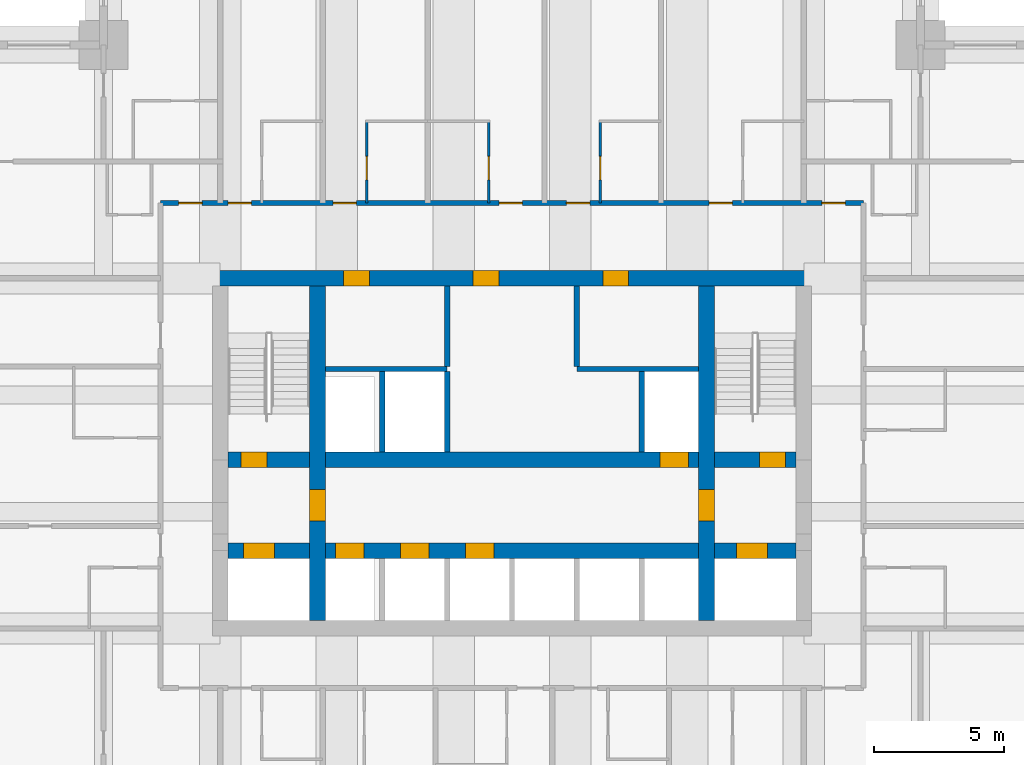
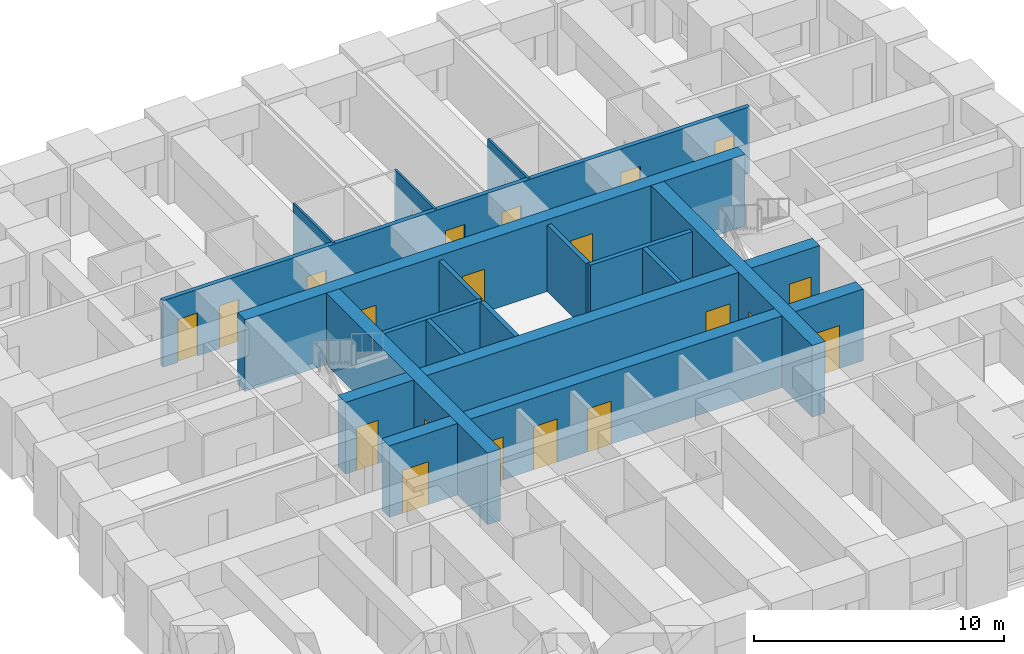
# One storey, part 4 of 8: 23 doors, 16 walls, 23 openings.
"""IFC4 building model written with IfcOpenShell, lengths in metres."""

from ifc_helpers import new_model, si_unit, direction, frame, frame_2d, origin, place, context, subcontext, project, spatial, rectangle, extrude, material, layer, layer_set, type_object, element, fill, save


model = new_model("IFC4")

# Units and contexts
model_context = context("Model", 3, precision=1e-05, world=origin(), true_north=direction((0.0, 1.0)))
body_context = subcontext(model_context, "Body", "Model", "MODEL_VIEW")
ifc_project = project(units=[si_unit("LENGTHUNIT", "METRE"), si_unit("AREAUNIT", "SQUARE_METRE"), si_unit("VOLUMEUNIT", "CUBIC_METRE"), si_unit("PLANEANGLEUNIT", "RADIAN"), si_unit("MASSUNIT", "GRAM", prefix="KILO")], contexts=[model_context])

# Site, building, storey
site_placement = place(None, origin())
site = spatial("IfcSite", under=ifc_project, at=site_placement, CompositionType="ELEMENT")
building_placement = place(site_placement, origin())
building = spatial("IfcBuilding", under=site, at=building_placement, Name="Kilele Tower Hotel", CompositionType="ELEMENT")
storey_placement = place(building_placement, frame((0.0, 0.0, 54.199951171875)))
storey = spatial("IfcBuildingStorey", under=building, at=storey_placement, Name="L12", CompositionType="ELEMENT", Elevation=54.199951171875)

# Wall, opening, door
ifc_material_1 = material(Name="Moisture-resistant board")
ifc_layer_1 = layer(ifc_material_1, 0.10009765625)
ifc_layer_set_1 = layer_set([ifc_layer_1], Name="Moisture-resistant board")
wall_type_1 = type_object("IfcWallType", Name="Bathroom partition 100", PredefinedType="PLUMBINGWALL", material=ifc_layer_set_1)
wall_1_placement = place(storey_placement, frame((19.14990234375, 29.89990234375, 0.0), z_axis=(0.0, 0.0, 1.0), x_axis=(0.0, 1.0, 0.0)))
wall_1 = element("IfcWall", 1, at=wall_1_placement, inside=storey, type_object=wall_type_1, Name="Bathroom partition 100 L12", PredefinedType="PLUMBINGWALL", context=body_context, shape_type="SweptSolid", body=[
    extrude(rectangle(XDim=3.2001953125, YDim=0.10009765625, at=frame_2d((1.60009765625, 0.0))), origin(), (0.0, 0.0, 1.0), 3.25),
])
opening_1_placement = place(wall_1_placement, frame((0.89990234375, 0.0, 0.0)))
opening_1 = element("IfcOpeningElement", 2, at=opening_1_placement, cuts=wall_1, Name="Opening D2A", PredefinedType="OPENING", context=body_context, shape_type="SweptSolid", body=[
    extrude(rectangle(XDim=0.89990234375, YDim=2.10009765625, at=frame_2d((0.449951171875, 1.050048828125))), frame((0.0, 0.06005859375, 0.0), z_axis=(0.0, -1.0, 0.0), x_axis=(1.0, 0.0, 0.0)), (0.0, 0.0, 1.0), 0.1201171875),
])
ifc_material_2 = material(Name="Timber door leaf in hardwood frame", Category="wood")
door_type_1 = type_object("IfcDoorType", Name="Bathroom door 900", OperationType="SINGLE_SWING_LEFT", PredefinedType="DOOR", material=ifc_material_2)
door_1_placement = place(opening_1_placement, origin())
door_1 = element("IfcDoor", 3, at=door_1_placement, inside=storey, type_object=door_type_1, Name="Bathroom door 1210B", OperationType="SINGLE_SWING_LEFT", OverallHeight=2.10009765625, OverallWidth=0.89990234375, PredefinedType="DOOR", context=body_context, shape_type="SweptSolid", body=[
    extrude(rectangle(XDim=0.89990234375, YDim=2.10009765625, at=frame_2d((0.449951171875, 1.050048828125))), frame((0.0, 0.02490234375, 0.0), z_axis=(0.0, -1.0, 0.0), x_axis=(1.0, 0.0, 0.0)), (0.0, 0.0, 1.0), 0.050048828125),
])
fill(opening_1, door_1)

wall_2_placement = place(storey_placement, frame((23.85009765625, 29.89990234375, 0.0), z_axis=(0.0, 0.0, 1.0), x_axis=(0.0, 1.0, 0.0)))
wall_2 = element("IfcWall", 4, at=wall_2_placement, inside=storey, type_object=wall_type_1, Name="Bathroom partition 100 L12", PredefinedType="PLUMBINGWALL", context=body_context, shape_type="SweptSolid", body=[
    extrude(rectangle(XDim=3.2001953125, YDim=0.10009765625, at=frame_2d((1.60009765625, 0.0))), origin(), (0.0, 0.0, 1.0), 3.25),
])
opening_2_placement = place(wall_2_placement, frame((1.7998046875, 0.0, 0.0), z_axis=(0.0, 0.0, 1.0), x_axis=(-1.0, 0.0, 0.0)))
opening_2 = element("IfcOpeningElement", 5, at=opening_2_placement, cuts=wall_2, Name="Opening D2A", PredefinedType="OPENING", context=body_context, shape_type="SweptSolid", body=[
    extrude(rectangle(XDim=0.89990234375, YDim=2.10009765625, at=frame_2d((0.449951171875, 1.050048828125))), frame((0.0, 0.06005859375, 0.0), z_axis=(0.0, -1.0, 0.0), x_axis=(1.0, 0.0, 0.0)), (0.0, 0.0, 1.0), 0.1201171875),
])
door_2_placement = place(opening_2_placement, origin())
door_2 = element("IfcDoor", 6, at=door_2_placement, inside=storey, type_object=door_type_1, Name="Bathroom door 1211B", OperationType="SINGLE_SWING_RIGHT", OverallHeight=2.10009765625, OverallWidth=0.89990234375, PredefinedType="DOOR", context=body_context, shape_type="SweptSolid", body=[
    extrude(rectangle(XDim=0.89990234375, YDim=2.10009765625, at=frame_2d((0.449951171875, 1.050048828125))), frame((0.0, 0.02490234375, 0.0), z_axis=(0.0, -1.0, 0.0), x_axis=(1.0, 0.0, 0.0)), (0.0, 0.0, 1.0), 0.050048828125),
])
fill(opening_2, door_2)

wall_3_placement = place(storey_placement, frame((28.14990234375, 29.89990234375, 0.0), z_axis=(0.0, 0.0, 1.0), x_axis=(0.0, 1.0, 0.0)))
wall_3 = element("IfcWall", 7, at=wall_3_placement, inside=storey, type_object=wall_type_1, Name="Bathroom partition 100 L12", PredefinedType="PLUMBINGWALL", context=body_context, shape_type="SweptSolid", body=[
    extrude(rectangle(XDim=3.2001953125, YDim=0.10009765625, at=frame_2d((1.60009765625, 0.0))), origin(), (0.0, 0.0, 1.0), 3.25),
])
opening_3_placement = place(wall_3_placement, frame((0.89990234375, 0.0, 0.0)))
opening_3 = element("IfcOpeningElement", 8, at=opening_3_placement, cuts=wall_3, Name="Opening D2A", PredefinedType="OPENING", context=body_context, shape_type="SweptSolid", body=[
    extrude(rectangle(XDim=0.89990234375, YDim=2.10009765625, at=frame_2d((0.449951171875, 1.050048828125))), frame((0.0, 0.06005859375, 0.0), z_axis=(0.0, -1.0, 0.0), x_axis=(1.0, 0.0, 0.0)), (0.0, 0.0, 1.0), 0.1201171875),
])
door_3_placement = place(opening_3_placement, origin())
door_3 = element("IfcDoor", 9, at=door_3_placement, inside=storey, type_object=door_type_1, Name="Bathroom door 1212B", OperationType="SINGLE_SWING_LEFT", OverallHeight=2.10009765625, OverallWidth=0.89990234375, PredefinedType="DOOR", context=body_context, shape_type="SweptSolid", body=[
    extrude(rectangle(XDim=0.89990234375, YDim=2.10009765625, at=frame_2d((0.449951171875, 1.050048828125))), frame((0.0, 0.02490234375, 0.0), z_axis=(0.0, -1.0, 0.0), x_axis=(1.0, 0.0, 0.0)), (0.0, 0.0, 1.0), 0.050048828125),
])
fill(opening_3, door_3)

# Wall, openings, doors
ifc_material_3 = material(Name="Concrete C60/75", Category="concrete")
ifc_layer_2 = layer(ifc_material_3, 0.60009765625)
ifc_layer_set_2 = layer_set([ifc_layer_2], Name="Concrete C60/75")
wall_type_2 = type_object("IfcWallType", Name="Core wall 600 C60/75", PredefinedType="SHEAR", material=ifc_layer_set_2)
wall_4_placement = place(storey_placement, frame((36.300048828125, 27.0, 0.0), z_axis=(0.0, 0.0, 1.0), x_axis=(-1.0, 0.0, 0.0)))
wall_4 = element("IfcWall", 10, at=wall_4_placement, inside=storey, type_object=wall_type_2, Name="Core wall N L12", PredefinedType="SHEAR", context=body_context, shape_type="SweptSolid", body=[
    extrude(rectangle(XDim=23.10009765625, YDim=0.60009765625, at=frame_2d((11.550048828125, 0.0))), origin(), (0.0, 0.0, 1.0), 3.5),
])
opening_4_placement = place(wall_4_placement, frame((17.050048828125, 0.0, 0.0)))
opening_4 = element("IfcOpeningElement", 11, at=opening_4_placement, cuts=wall_4, Name="Opening D6", PredefinedType="OPENING", context=body_context, shape_type="SweptSolid", body=[
    extrude(rectangle(XDim=1.0, YDim=2.10009765625, at=frame_2d((0.5, 1.050048828125))), frame((0.0, 0.31005859375, 0.0), z_axis=(0.0, -1.0, 0.0), x_axis=(1.0, 0.0, 0.0)), (0.0, 0.0, 1.0), 0.6201171875),
])
opening_5_placement = place(wall_4_placement, frame((12.050048828125, 0.0, 0.0)))
opening_5 = element("IfcOpeningElement", 12, at=opening_5_placement, cuts=wall_4, Name="Opening D6", PredefinedType="OPENING", context=body_context, shape_type="SweptSolid", body=[
    extrude(rectangle(XDim=1.0, YDim=2.10009765625, at=frame_2d((0.5, 1.050048828125))), frame((0.0, 0.31005859375, 0.0), z_axis=(0.0, -1.0, 0.0), x_axis=(1.0, 0.0, 0.0)), (0.0, 0.0, 1.0), 0.6201171875),
])
opening_6_placement = place(wall_4_placement, frame((7.050048828125, 0.0, 0.0)))
opening_6 = element("IfcOpeningElement", 13, at=opening_6_placement, cuts=wall_4, Name="Opening D6", PredefinedType="OPENING", context=body_context, shape_type="SweptSolid", body=[
    extrude(rectangle(XDim=1.0, YDim=2.10009765625, at=frame_2d((0.5, 1.050048828125))), frame((0.0, 0.31005859375, 0.0), z_axis=(0.0, -1.0, 0.0), x_axis=(1.0, 0.0, 0.0)), (0.0, 0.0, 1.0), 0.6201171875),
])
ifc_material_4 = material(Name="Timber door leaf in hardwood frame", Category="wood")
door_type_2 = type_object("IfcDoorType", Name="Riser door 1000", OperationType="SINGLE_SWING_LEFT", PredefinedType="DOOR", material=ifc_material_4)
door_4_placement = place(opening_4_placement, origin())
door_4 = element("IfcDoor", 14, at=door_4_placement, inside=storey, type_object=door_type_2, Name="Service riser door L12", OperationType="SINGLE_SWING_RIGHT", OverallHeight=2.10009765625, OverallWidth=1.0, PredefinedType="DOOR", context=body_context, shape_type="SweptSolid", body=[
    extrude(rectangle(XDim=1.0, YDim=2.10009765625, at=frame_2d((0.5, 1.050048828125))), frame((0.0, 0.2998046875, 0.0), z_axis=(0.0, -1.0, 0.0), x_axis=(1.0, 0.0, 0.0)), (0.0, 0.0, 1.0), 0.599609375),
])
fill(opening_4, door_4)
door_5_placement = place(opening_5_placement, origin())
door_5 = element("IfcDoor", 15, at=door_5_placement, inside=storey, type_object=door_type_2, Name="Housekeeping linen room door L12", OperationType="SINGLE_SWING_RIGHT", OverallHeight=2.10009765625, OverallWidth=1.0, PredefinedType="DOOR", context=body_context, shape_type="SweptSolid", body=[
    extrude(rectangle(XDim=1.0, YDim=2.10009765625, at=frame_2d((0.5, 1.050048828125))), frame((0.0, 0.2998046875, 0.0), z_axis=(0.0, -1.0, 0.0), x_axis=(1.0, 0.0, 0.0)), (0.0, 0.0, 1.0), 0.599609375),
])
fill(opening_5, door_5)
door_6_placement = place(opening_6_placement, origin())
door_6 = element("IfcDoor", 16, at=door_6_placement, inside=storey, type_object=door_type_2, Name="Electrical riser door L12", OperationType="SINGLE_SWING_RIGHT", OverallHeight=2.10009765625, OverallWidth=1.0, PredefinedType="DOOR", context=body_context, shape_type="SweptSolid", body=[
    extrude(rectangle(XDim=1.0, YDim=2.10009765625, at=frame_2d((0.5, 1.050048828125))), frame((0.0, 0.2998046875, 0.0), z_axis=(0.0, -1.0, 0.0), x_axis=(1.0, 0.0, 0.0)), (0.0, 0.0, 1.0), 0.599609375),
])
fill(opening_6, door_6)

# Wall, opening, door
wall_5_placement = place(storey_placement, frame((17.25, 13.800048828125, 0.0), z_axis=(0.0, 0.0, 1.0), x_axis=(0.0, 1.0, 0.0)))
wall_5 = element("IfcWall", 17, at=wall_5_placement, inside=storey, type_object=wall_type_2, Name="Core wall IW L12", PredefinedType="SHEAR", context=body_context, shape_type="SweptSolid", body=[
    extrude(rectangle(XDim=12.89990234375, YDim=0.60009765625, at=frame_2d((6.449951171875, 0.0))), origin(), (0.0, 0.0, 1.0), 3.5),
])
opening_7_placement = place(wall_5_placement, frame((3.85009765625, 0.0, 0.0)))
opening_7 = element("IfcOpeningElement", 18, at=opening_7_placement, cuts=wall_5, Name="Opening D4", PredefinedType="OPENING", context=body_context, shape_type="SweptSolid", body=[
    extrude(rectangle(XDim=1.199951171875, YDim=2.10009765625, at=frame_2d((0.60009765625, 1.050048828125))), frame((0.0, 0.31005859375, 0.0), z_axis=(0.0, -1.0, 0.0), x_axis=(1.0, 0.0, 0.0)), (0.0, 0.0, 1.0), 0.6201171875),
])
ifc_material_5 = material(Name="Timber door leaf in hardwood frame", Category="wood")
door_type_3 = type_object("IfcDoorType", Name="Firefighting lobby door 1200", OperationType="SINGLE_SWING_LEFT", PredefinedType="DOOR", material=ifc_material_5)
door_7_placement = place(opening_7_placement, origin())
door_7 = element("IfcDoor", 19, at=door_7_placement, inside=storey, type_object=door_type_3, Name="Lobby door L12", OperationType="SINGLE_SWING_LEFT", OverallHeight=2.10009765625, OverallWidth=1.199951171875, PredefinedType="DOOR", context=body_context, shape_type="SweptSolid", body=[
    extrude(rectangle(XDim=1.199951171875, YDim=2.10009765625, at=frame_2d((0.60009765625, 1.050048828125))), frame((0.0, 0.2998046875, 0.0), z_axis=(0.0, -1.0, 0.0), x_axis=(1.0, 0.0, 0.0)), (0.0, 0.0, 1.0), 0.599609375),
])
fill(opening_7, door_7)

wall_6_placement = place(storey_placement, frame((32.25, 13.800048828125, 0.0), z_axis=(0.0, 0.0, 1.0), x_axis=(0.0, 1.0, 0.0)))
wall_6 = element("IfcWall", 20, at=wall_6_placement, inside=storey, type_object=wall_type_2, Name="Core wall IE L12", PredefinedType="SHEAR", context=body_context, shape_type="SweptSolid", body=[
    extrude(rectangle(XDim=12.89990234375, YDim=0.60009765625, at=frame_2d((6.449951171875, 0.0))), origin(), (0.0, 0.0, 1.0), 3.5),
])
opening_8_placement = place(wall_6_placement, frame((5.050048828125, 0.0, 0.0), z_axis=(0.0, 0.0, 1.0), x_axis=(-1.0, 0.0, 0.0)))
opening_8 = element("IfcOpeningElement", 21, at=opening_8_placement, cuts=wall_6, Name="Opening D4", PredefinedType="OPENING", context=body_context, shape_type="SweptSolid", body=[
    extrude(rectangle(XDim=1.199951171875, YDim=2.10009765625, at=frame_2d((0.60009765625, 1.050048828125))), frame((0.0, 0.31005859375, 0.0), z_axis=(0.0, -1.0, 0.0), x_axis=(1.0, 0.0, 0.0)), (0.0, 0.0, 1.0), 0.6201171875),
])
door_8_placement = place(opening_8_placement, origin())
door_8 = element("IfcDoor", 22, at=door_8_placement, inside=storey, type_object=door_type_3, Name="Lobby door L12", OperationType="SINGLE_SWING_RIGHT", OverallHeight=2.10009765625, OverallWidth=1.199951171875, PredefinedType="DOOR", context=body_context, shape_type="SweptSolid", body=[
    extrude(rectangle(XDim=1.199951171875, YDim=2.10009765625, at=frame_2d((0.60009765625, 1.050048828125))), frame((0.0, 0.2998046875, 0.0), z_axis=(0.0, -1.0, 0.0), x_axis=(1.0, 0.0, 0.0)), (0.0, 0.0, 1.0), 0.599609375),
])
fill(opening_8, door_8)

# Wall, openings, doors
wall_7_placement = place(storey_placement, frame((13.800048828125, 16.5, 0.0), z_axis=(0.0, 0.0, 1.0), x_axis=(1.0, 0.0, 0.0)))
wall_7 = element("IfcWall", 23, at=wall_7_placement, inside=storey, type_object=wall_type_2, Name="Core wall LS L12", PredefinedType="SHEAR", context=body_context, shape_type="SweptSolid", body=[
    extrude(rectangle(XDim=21.89990234375, YDim=0.60009765625, at=frame_2d((10.949951171875, 0.0))), origin(), (0.0, 0.0, 1.0), 3.5),
])
opening_9_placement = place(wall_7_placement, frame((4.14990234375, 0.0, 0.0)))
opening_9 = element("IfcOpeningElement", 24, at=opening_9_placement, cuts=wall_7, Name="Opening LD1", PredefinedType="OPENING", context=body_context, shape_type="SweptSolid", body=[
    extrude(rectangle(XDim=1.10009765625, YDim=2.10009765625, at=frame_2d((0.550048828125, 1.050048828125))), frame((0.0, 0.31005859375, 0.0), z_axis=(0.0, -1.0, 0.0), x_axis=(1.0, 0.0, 0.0)), (0.0, 0.0, 1.0), 0.6201171875),
])
opening_10_placement = place(wall_7_placement, frame((6.64990234375, 0.0, 0.0)))
opening_10 = element("IfcOpeningElement", 25, at=opening_10_placement, cuts=wall_7, Name="Opening LD1", PredefinedType="OPENING", context=body_context, shape_type="SweptSolid", body=[
    extrude(rectangle(XDim=1.10009765625, YDim=2.10009765625, at=frame_2d((0.550048828125, 1.050048828125))), frame((0.0, 0.31005859375, 0.0), z_axis=(0.0, -1.0, 0.0), x_axis=(1.0, 0.0, 0.0)), (0.0, 0.0, 1.0), 0.6201171875),
])
opening_11_placement = place(wall_7_placement, frame((9.14990234375, 0.0, 0.0)))
opening_11 = element("IfcOpeningElement", 26, at=opening_11_placement, cuts=wall_7, Name="Opening LD1", PredefinedType="OPENING", context=body_context, shape_type="SweptSolid", body=[
    extrude(rectangle(XDim=1.10009765625, YDim=2.10009765625, at=frame_2d((0.550048828125, 1.050048828125))), frame((0.0, 0.31005859375, 0.0), z_axis=(0.0, -1.0, 0.0), x_axis=(1.0, 0.0, 0.0)), (0.0, 0.0, 1.0), 0.6201171875),
])
opening_12_placement = place(wall_7_placement, frame((0.60009765625, 0.0, 0.0)))
opening_12 = element("IfcOpeningElement", 27, at=opening_12_placement, cuts=wall_7, Name="Opening LD2", PredefinedType="OPENING", context=body_context, shape_type="SweptSolid", body=[
    extrude(rectangle(XDim=1.199951171875, YDim=2.10009765625, at=frame_2d((0.60009765625, 1.050048828125))), frame((0.0, 0.31005859375, 0.0), z_axis=(0.0, -1.0, 0.0), x_axis=(1.0, 0.0, 0.0)), (0.0, 0.0, 1.0), 0.6201171875),
])
opening_13_placement = place(wall_7_placement, frame((19.60009765625, 0.0, 0.0)))
opening_13 = element("IfcOpeningElement", 28, at=opening_13_placement, cuts=wall_7, Name="Opening LD2", PredefinedType="OPENING", context=body_context, shape_type="SweptSolid", body=[
    extrude(rectangle(XDim=1.199951171875, YDim=2.10009765625, at=frame_2d((0.60009765625, 1.050048828125))), frame((0.0, 0.31005859375, 0.0), z_axis=(0.0, -1.0, 0.0), x_axis=(1.0, 0.0, 0.0)), (0.0, 0.0, 1.0), 0.6201171875),
])
ifc_material_6 = material(Name="Steel lift landing door", Category="steel")
door_type_4 = type_object("IfcDoorType", Name="Firefighting lift landing door 1200", OperationType="SLIDING_TO_LEFT", PredefinedType="DOOR", material=ifc_material_6)
door_9_placement = place(opening_12_placement, origin())
door_9 = element("IfcDoor", 29, at=door_9_placement, inside=storey, type_object=door_type_4, Name="Landing door FFW L12", OperationType="SLIDING_TO_LEFT", OverallHeight=2.10009765625, OverallWidth=1.199951171875, PredefinedType="DOOR", context=body_context, shape_type="SweptSolid", body=[
    extrude(rectangle(XDim=1.199951171875, YDim=2.10009765625, at=frame_2d((0.60009765625, 1.050048828125))), frame((0.0, 0.2998046875, 0.0), z_axis=(0.0, -1.0, 0.0), x_axis=(1.0, 0.0, 0.0)), (0.0, 0.0, 1.0), 0.599609375),
])
fill(opening_12, door_9)
door_10_placement = place(opening_13_placement, origin())
door_10 = element("IfcDoor", 30, at=door_10_placement, inside=storey, type_object=door_type_4, Name="Landing door FFE L12", OperationType="SLIDING_TO_LEFT", OverallHeight=2.10009765625, OverallWidth=1.199951171875, PredefinedType="DOOR", context=body_context, shape_type="SweptSolid", body=[
    extrude(rectangle(XDim=1.199951171875, YDim=2.10009765625, at=frame_2d((0.60009765625, 1.050048828125))), frame((0.0, 0.2998046875, 0.0), z_axis=(0.0, -1.0, 0.0), x_axis=(1.0, 0.0, 0.0)), (0.0, 0.0, 1.0), 0.599609375),
])
fill(opening_13, door_10)
ifc_material_7 = material(Name="Steel lift landing door", Category="steel")
door_type_5 = type_object("IfcDoorType", Name="Lift landing door 1100", OperationType="SLIDING_TO_LEFT", PredefinedType="DOOR", material=ifc_material_7)
door_11_placement = place(opening_9_placement, origin())
door_11 = element("IfcDoor", 31, at=door_11_placement, inside=storey, type_object=door_type_5, Name="Landing door L1 L12", OperationType="SLIDING_TO_LEFT", OverallHeight=2.10009765625, OverallWidth=1.10009765625, PredefinedType="DOOR", context=body_context, shape_type="SweptSolid", body=[
    extrude(rectangle(XDim=1.10009765625, YDim=2.10009765625, at=frame_2d((0.550048828125, 1.050048828125))), frame((0.0, 0.2998046875, 0.0), z_axis=(0.0, -1.0, 0.0), x_axis=(1.0, 0.0, 0.0)), (0.0, 0.0, 1.0), 0.599609375),
])
fill(opening_9, door_11)
door_12_placement = place(opening_10_placement, origin())
door_12 = element("IfcDoor", 32, at=door_12_placement, inside=storey, type_object=door_type_5, Name="Landing door L2 L12", OperationType="SLIDING_TO_LEFT", OverallHeight=2.10009765625, OverallWidth=1.10009765625, PredefinedType="DOOR", context=body_context, shape_type="SweptSolid", body=[
    extrude(rectangle(XDim=1.10009765625, YDim=2.10009765625, at=frame_2d((0.550048828125, 1.050048828125))), frame((0.0, 0.2998046875, 0.0), z_axis=(0.0, -1.0, 0.0), x_axis=(1.0, 0.0, 0.0)), (0.0, 0.0, 1.0), 0.599609375),
])
fill(opening_10, door_12)
door_13_placement = place(opening_11_placement, origin())
door_13 = element("IfcDoor", 33, at=door_13_placement, inside=storey, type_object=door_type_5, Name="Landing door L3 L12", OperationType="SLIDING_TO_LEFT", OverallHeight=2.10009765625, OverallWidth=1.10009765625, PredefinedType="DOOR", context=body_context, shape_type="SweptSolid", body=[
    extrude(rectangle(XDim=1.10009765625, YDim=2.10009765625, at=frame_2d((0.550048828125, 1.050048828125))), frame((0.0, 0.2998046875, 0.0), z_axis=(0.0, -1.0, 0.0), x_axis=(1.0, 0.0, 0.0)), (0.0, 0.0, 1.0), 0.599609375),
])
fill(opening_11, door_13)

wall_8_placement = place(storey_placement, frame((13.800048828125, 20.0, 0.0), z_axis=(0.0, 0.0, 1.0), x_axis=(1.0, 0.0, 0.0)))
wall_8 = element("IfcWall", 34, at=wall_8_placement, inside=storey, type_object=wall_type_2, Name="Core wall LN L12", PredefinedType="SHEAR", context=body_context, shape_type="SweptSolid", body=[
    extrude(rectangle(XDim=21.89990234375, YDim=0.60009765625, at=frame_2d((10.949951171875, 0.0))), origin(), (0.0, 0.0, 1.0), 3.5),
])
opening_14_placement = place(wall_8_placement, frame((0.5, 0.0, 0.0)))
opening_14 = element("IfcOpeningElement", 35, at=opening_14_placement, cuts=wall_8, Name="Opening D5", PredefinedType="OPENING", context=body_context, shape_type="SweptSolid", body=[
    extrude(rectangle(XDim=1.0, YDim=2.10009765625, at=frame_2d((0.5, 1.050048828125))), frame((0.0, 0.31005859375, 0.0), z_axis=(0.0, -1.0, 0.0), x_axis=(1.0, 0.0, 0.0)), (0.0, 0.0, 1.0), 0.6201171875),
])
opening_15_placement = place(wall_8_placement, frame((20.5, 0.0, 0.0)))
opening_15 = element("IfcOpeningElement", 36, at=opening_15_placement, cuts=wall_8, Name="Opening D5", PredefinedType="OPENING", context=body_context, shape_type="SweptSolid", body=[
    extrude(rectangle(XDim=1.0, YDim=2.10009765625, at=frame_2d((0.5, 1.050048828125))), frame((0.0, 0.31005859375, 0.0), z_axis=(0.0, -1.0, 0.0), x_axis=(1.0, 0.0, 0.0)), (0.0, 0.0, 1.0), 0.6201171875),
])
opening_16_placement = place(wall_8_placement, frame((16.64990234375, 0.0, 0.0)))
opening_16 = element("IfcOpeningElement", 37, at=opening_16_placement, cuts=wall_8, Name="Opening LD1", PredefinedType="OPENING", context=body_context, shape_type="SweptSolid", body=[
    extrude(rectangle(XDim=1.10009765625, YDim=2.10009765625, at=frame_2d((0.550048828125, 1.050048828125))), frame((0.0, 0.31005859375, 0.0), z_axis=(0.0, -1.0, 0.0), x_axis=(1.0, 0.0, 0.0)), (0.0, 0.0, 1.0), 0.6201171875),
])
door_14_placement = place(opening_16_placement, origin())
door_14 = element("IfcDoor", 38, at=door_14_placement, inside=storey, type_object=door_type_5, Name="Landing door G1 L12", OperationType="SLIDING_TO_LEFT", OverallHeight=2.10009765625, OverallWidth=1.10009765625, PredefinedType="DOOR", context=body_context, shape_type="SweptSolid", body=[
    extrude(rectangle(XDim=1.10009765625, YDim=2.10009765625, at=frame_2d((0.550048828125, 1.050048828125))), frame((0.0, 0.2998046875, 0.0), z_axis=(0.0, -1.0, 0.0), x_axis=(1.0, 0.0, 0.0)), (0.0, 0.0, 1.0), 0.599609375),
])
fill(opening_16, door_14)
ifc_material_8 = material(Name="Timber door leaf in hardwood frame", Category="wood")
door_type_6 = type_object("IfcDoorType", Name="Stair door 1000", OperationType="SINGLE_SWING_LEFT", PredefinedType="DOOR", material=ifc_material_8)
door_15_placement = place(opening_14_placement, origin())
door_15 = element("IfcDoor", 39, at=door_15_placement, inside=storey, type_object=door_type_6, Name="Stair 1 door L12", OperationType="SINGLE_SWING_LEFT", OverallHeight=2.10009765625, OverallWidth=1.0, PredefinedType="DOOR", context=body_context, shape_type="SweptSolid", body=[
    extrude(rectangle(XDim=1.0, YDim=2.10009765625, at=frame_2d((0.5, 1.050048828125))), frame((0.0, 0.2998046875, 0.0), z_axis=(0.0, -1.0, 0.0), x_axis=(1.0, 0.0, 0.0)), (0.0, 0.0, 1.0), 0.599609375),
])
fill(opening_14, door_15)
door_16_placement = place(opening_15_placement, origin())
door_16 = element("IfcDoor", 40, at=door_16_placement, inside=storey, type_object=door_type_6, Name="Stair 2 door L12", OperationType="SINGLE_SWING_RIGHT", OverallHeight=2.10009765625, OverallWidth=1.0, PredefinedType="DOOR", context=body_context, shape_type="SweptSolid", body=[
    extrude(rectangle(XDim=1.0, YDim=2.10009765625, at=frame_2d((0.5, 1.050048828125))), frame((0.0, 0.2998046875, 0.0), z_axis=(0.0, -1.0, 0.0), x_axis=(1.0, 0.0, 0.0)), (0.0, 0.0, 1.0), 0.599609375),
])
fill(opening_15, door_16)

ifc_material_9 = material(Name="Blockwork, plastered both sides", Category="masonry")
ifc_layer_3 = layer(ifc_material_9, 0.199951171875)
ifc_layer_set_3 = layer_set([ifc_layer_3], Name="Blockwork, plastered both sides")
wall_type_3 = type_object("IfcWallType", Name="Corridor wall 200", PredefinedType="PARTITIONING", material=ifc_layer_set_3)
wall_9_placement = place(storey_placement, frame((11.199951171875, 29.89990234375, 0.0), z_axis=(0.0, 0.0, 1.0), x_axis=(1.0, 0.0, 0.0)))
wall_9 = element("IfcWall", 41, at=wall_9_placement, inside=storey, type_object=wall_type_3, Name="Corridor wall 200 L12", PredefinedType="PARTITIONING", context=body_context, shape_type="SweptSolid", body=[
    extrude(rectangle(XDim=27.10009765625, YDim=0.199951171875, at=frame_2d((13.550048828125, 0.0))), origin(), (0.0, 0.0, 1.0), 3.25),
])
opening_17_placement = place(wall_9_placement, frame((2.60009765625, 0.0, 0.0)))
opening_17 = element("IfcOpeningElement", 42, at=opening_17_placement, cuts=wall_9, Name="Opening D1", PredefinedType="OPENING", context=body_context, shape_type="SweptSolid", body=[
    extrude(rectangle(XDim=0.89990234375, YDim=2.10009765625, at=frame_2d((0.449951171875, 1.050048828125))), frame((0.0, 0.10986328125, 0.0), z_axis=(0.0, -1.0, 0.0), x_axis=(1.0, 0.0, 0.0)), (0.0, 0.0, 1.0), 0.219970703125),
])
opening_18_placement = place(wall_9_placement, frame((6.64990234375, 0.0, 0.0)))
opening_18 = element("IfcOpeningElement", 43, at=opening_18_placement, cuts=wall_9, Name="Opening D1", PredefinedType="OPENING", context=body_context, shape_type="SweptSolid", body=[
    extrude(rectangle(XDim=0.89990234375, YDim=2.10009765625, at=frame_2d((0.449951171875, 1.050048828125))), frame((0.0, 0.10986328125, 0.0), z_axis=(0.0, -1.0, 0.0), x_axis=(1.0, 0.0, 0.0)), (0.0, 0.0, 1.0), 0.219970703125),
])
opening_19_placement = place(wall_9_placement, frame((13.050048828125, 0.0, 0.0)))
opening_19 = element("IfcOpeningElement", 44, at=opening_19_placement, cuts=wall_9, Name="Opening D1", PredefinedType="OPENING", context=body_context, shape_type="SweptSolid", body=[
    extrude(rectangle(XDim=0.89990234375, YDim=2.10009765625, at=frame_2d((0.449951171875, 1.050048828125))), frame((0.0, 0.10986328125, 0.0), z_axis=(0.0, -1.0, 0.0), x_axis=(1.0, 0.0, 0.0)), (0.0, 0.0, 1.0), 0.219970703125),
])
opening_20_placement = place(wall_9_placement, frame((15.64990234375, 0.0, 0.0)))
opening_20 = element("IfcOpeningElement", 45, at=opening_20_placement, cuts=wall_9, Name="Opening D1", PredefinedType="OPENING", context=body_context, shape_type="SweptSolid", body=[
    extrude(rectangle(XDim=0.89990234375, YDim=2.10009765625, at=frame_2d((0.449951171875, 1.050048828125))), frame((0.0, 0.10986328125, 0.0), z_axis=(0.0, -1.0, 0.0), x_axis=(1.0, 0.0, 0.0)), (0.0, 0.0, 1.0), 0.219970703125),
])
opening_21_placement = place(wall_9_placement, frame((21.14990234375, 0.0, 0.0)))
opening_21 = element("IfcOpeningElement", 46, at=opening_21_placement, cuts=wall_9, Name="Opening D1", PredefinedType="OPENING", context=body_context, shape_type="SweptSolid", body=[
    extrude(rectangle(XDim=0.89990234375, YDim=2.10009765625, at=frame_2d((0.449951171875, 1.050048828125))), frame((0.0, 0.10986328125, 0.0), z_axis=(0.0, -1.0, 0.0), x_axis=(1.0, 0.0, 0.0)), (0.0, 0.0, 1.0), 0.219970703125),
])
opening_22_placement = place(wall_9_placement, frame((25.5, 0.0, 0.0)))
opening_22 = element("IfcOpeningElement", 47, at=opening_22_placement, cuts=wall_9, Name="Opening D1", PredefinedType="OPENING", context=body_context, shape_type="SweptSolid", body=[
    extrude(rectangle(XDim=0.89990234375, YDim=2.10009765625, at=frame_2d((0.449951171875, 1.050048828125))), frame((0.0, 0.10986328125, 0.0), z_axis=(0.0, -1.0, 0.0), x_axis=(1.0, 0.0, 0.0)), (0.0, 0.0, 1.0), 0.219970703125),
])
opening_23_placement = place(wall_9_placement, frame((0.699951171875, 0.0, 0.0)))
opening_23 = element("IfcOpeningElement", 48, at=opening_23_placement, cuts=wall_9, Name="Opening D1", PredefinedType="OPENING", context=body_context, shape_type="SweptSolid", body=[
    extrude(rectangle(XDim=0.89990234375, YDim=2.10009765625, at=frame_2d((0.449951171875, 1.050048828125))), frame((0.0, 0.10986328125, 0.0), z_axis=(0.0, -1.0, 0.0), x_axis=(1.0, 0.0, 0.0)), (0.0, 0.0, 1.0), 0.219970703125),
])
ifc_material_10 = material(Name="Timber door leaf in hardwood frame", Category="wood")
door_type_7 = type_object("IfcDoorType", Name="Guest room entrance door 900", OperationType="SINGLE_SWING_LEFT", PredefinedType="DOOR", material=ifc_material_10)
door_17_placement = place(opening_17_placement, origin())
door_17 = element("IfcDoor", 49, at=door_17_placement, inside=storey, type_object=door_type_7, Name="Room entrance 1209", OperationType="SINGLE_SWING_LEFT", OverallHeight=2.10009765625, OverallWidth=0.89990234375, PredefinedType="DOOR", context=body_context, shape_type="SweptSolid", body=[
    extrude(rectangle(XDim=0.89990234375, YDim=2.10009765625, at=frame_2d((0.449951171875, 1.050048828125))), frame((0.0, 0.02490234375, 0.0), z_axis=(0.0, -1.0, 0.0), x_axis=(1.0, 0.0, 0.0)), (0.0, 0.0, 1.0), 0.050048828125),
])
fill(opening_17, door_17)
door_18_placement = place(opening_18_placement, origin())
door_18 = element("IfcDoor", 50, at=door_18_placement, inside=storey, type_object=door_type_7, Name="Room entrance 1210", OperationType="SINGLE_SWING_LEFT", OverallHeight=2.10009765625, OverallWidth=0.89990234375, PredefinedType="DOOR", context=body_context, shape_type="SweptSolid", body=[
    extrude(rectangle(XDim=0.89990234375, YDim=2.10009765625, at=frame_2d((0.449951171875, 1.050048828125))), frame((0.0, 0.02490234375, 0.0), z_axis=(0.0, -1.0, 0.0), x_axis=(1.0, 0.0, 0.0)), (0.0, 0.0, 1.0), 0.050048828125),
])
fill(opening_18, door_18)
door_19_placement = place(opening_19_placement, origin())
door_19 = element("IfcDoor", 51, at=door_19_placement, inside=storey, type_object=door_type_7, Name="Room entrance 1211", OperationType="SINGLE_SWING_LEFT", OverallHeight=2.10009765625, OverallWidth=0.89990234375, PredefinedType="DOOR", context=body_context, shape_type="SweptSolid", body=[
    extrude(rectangle(XDim=0.89990234375, YDim=2.10009765625, at=frame_2d((0.449951171875, 1.050048828125))), frame((0.0, 0.02490234375, 0.0), z_axis=(0.0, -1.0, 0.0), x_axis=(1.0, 0.0, 0.0)), (0.0, 0.0, 1.0), 0.050048828125),
])
fill(opening_19, door_19)
door_20_placement = place(opening_20_placement, origin())
door_20 = element("IfcDoor", 52, at=door_20_placement, inside=storey, type_object=door_type_7, Name="Room entrance 1212", OperationType="SINGLE_SWING_RIGHT", OverallHeight=2.10009765625, OverallWidth=0.89990234375, PredefinedType="DOOR", context=body_context, shape_type="SweptSolid", body=[
    extrude(rectangle(XDim=0.89990234375, YDim=2.10009765625, at=frame_2d((0.449951171875, 1.050048828125))), frame((0.0, 0.02490234375, 0.0), z_axis=(0.0, -1.0, 0.0), x_axis=(1.0, 0.0, 0.0)), (0.0, 0.0, 1.0), 0.050048828125),
])
fill(opening_20, door_20)
door_21_placement = place(opening_21_placement, origin())
door_21 = element("IfcDoor", 53, at=door_21_placement, inside=storey, type_object=door_type_7, Name="Room entrance 1213", OperationType="SINGLE_SWING_RIGHT", OverallHeight=2.10009765625, OverallWidth=0.89990234375, PredefinedType="DOOR", context=body_context, shape_type="SweptSolid", body=[
    extrude(rectangle(XDim=0.89990234375, YDim=2.10009765625, at=frame_2d((0.449951171875, 1.050048828125))), frame((0.0, 0.02490234375, 0.0), z_axis=(0.0, -1.0, 0.0), x_axis=(1.0, 0.0, 0.0)), (0.0, 0.0, 1.0), 0.050048828125),
])
fill(opening_21, door_21)
door_22_placement = place(opening_22_placement, origin())
door_22 = element("IfcDoor", 54, at=door_22_placement, inside=storey, type_object=door_type_7, Name="Room entrance 1223", OperationType="SINGLE_SWING_LEFT", OverallHeight=2.10009765625, OverallWidth=0.89990234375, PredefinedType="DOOR", context=body_context, shape_type="SweptSolid", body=[
    extrude(rectangle(XDim=0.89990234375, YDim=2.10009765625, at=frame_2d((0.449951171875, 1.050048828125))), frame((0.0, 0.02490234375, 0.0), z_axis=(0.0, -1.0, 0.0), x_axis=(1.0, 0.0, 0.0)), (0.0, 0.0, 1.0), 0.050048828125),
])
fill(opening_22, door_22)
door_23_placement = place(opening_23_placement, origin())
door_23 = element("IfcDoor", 55, at=door_23_placement, inside=storey, type_object=door_type_7, Name="Room entrance 1226", OperationType="SINGLE_SWING_RIGHT", OverallHeight=2.10009765625, OverallWidth=0.89990234375, PredefinedType="DOOR", context=body_context, shape_type="SweptSolid", body=[
    extrude(rectangle(XDim=0.89990234375, YDim=2.10009765625, at=frame_2d((0.449951171875, 1.050048828125))), frame((0.0, 0.02490234375, 0.0), z_axis=(0.0, -1.0, 0.0), x_axis=(1.0, 0.0, 0.0)), (0.0, 0.0, 1.0), 0.050048828125),
])
fill(opening_23, door_23)

# Walls
ifc_material_11 = material(Name="Blockwork, fire-rated", Category="masonry")
ifc_layer_4 = layer(ifc_material_11, 0.199951171875)
ifc_layer_set_4 = layer_set([ifc_layer_4], Name="Blockwork, fire-rated")
wall_type_4 = type_object("IfcWallType", Name="Shaft wall 200", PredefinedType="PARTITIONING", material=ifc_layer_set_4)
for number, where, z_axis, x_axis, name in (
    (56, (19.75, 20.300048828125, 0.0), (0.0, 0.0, 1.0), (0.0, 1.0, 0.0), "Shaft wall 200 L12"),
    (57, (22.25, 20.300048828125, 0.0), (0.0, 0.0, 1.0), (0.0, 1.0, 0.0), "Shaft wall 200 L12"),
    (58, (29.75, 20.300048828125, 0.0), (0.0, 0.0, 1.0), (0.0, 1.0, 0.0), "Shaft wall 200 L12"),
):
    element("IfcWall", number, at=place(storey_placement, frame(where, z_axis=z_axis, x_axis=x_axis)), inside=storey, type_object=wall_type_4, Name=name, PredefinedType="PARTITIONING", context=body_context, shape_type="SweptSolid", body=[
        extrude(rectangle(XDim=3.099853515625, YDim=0.199951171875, at=frame_2d((1.5498046875, 0.0))), origin(), (0.0, 0.0, 1.0), 3.25),
    ])
for number, where, z_axis, x_axis, name in (
    (59, (17.550048828125, 23.5, 0.0), (0.0, 0.0, 1.0), (1.0, 0.0, 0.0), "Shaft wall 200 L12"),
    (60, (27.25, 23.5, 0.0), (0.0, 0.0, 1.0), (1.0, 0.0, 0.0), "Shaft wall 200 L12"),
):
    element("IfcWall", number, at=place(storey_placement, frame(where, z_axis=z_axis, x_axis=x_axis)), inside=storey, type_object=wall_type_4, Name=name, PredefinedType="PARTITIONING", context=body_context, shape_type="SweptSolid", body=[
        extrude(rectangle(XDim=4.699951171875, YDim=0.199951171875, at=frame_2d((2.35009765625, 0.0))), origin(), (0.0, 0.0, 1.0), 3.25),
    ])
for number, where, z_axis, x_axis, name in (
    (61, (22.25, 23.60009765625, 0.0), (0.0, 0.0, 1.0), (0.0, 1.0, 0.0), "Shaft wall 200 L12"),
    (62, (27.25, 23.60009765625, 0.0), (0.0, 0.0, 1.0), (0.0, 1.0, 0.0), "Shaft wall 200 L12"),
):
    element("IfcWall", number, at=place(storey_placement, frame(where, z_axis=z_axis, x_axis=x_axis)), inside=storey, type_object=wall_type_4, Name=name, PredefinedType="PARTITIONING", context=body_context, shape_type="SweptSolid", body=[
        extrude(rectangle(XDim=3.099853515625, YDim=0.199951171875, at=frame_2d((1.5498046875, 0.0))), origin(), (0.0, 0.0, 1.0), 3.25),
    ])

save(model, "model.ifc")
